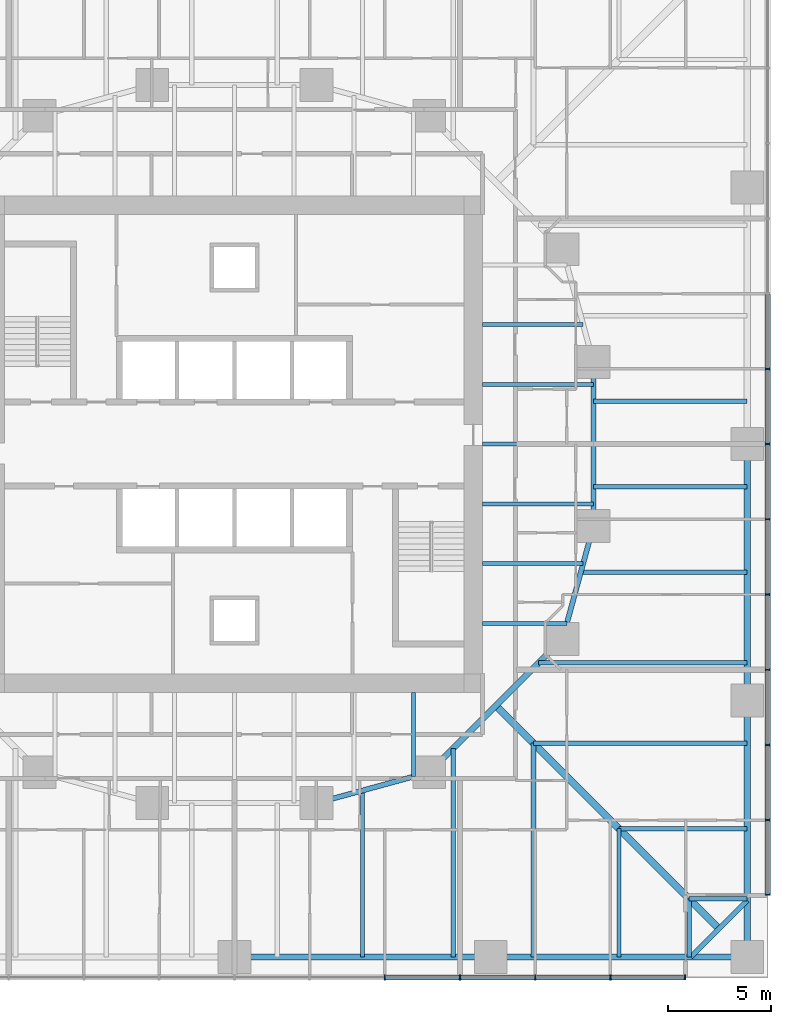
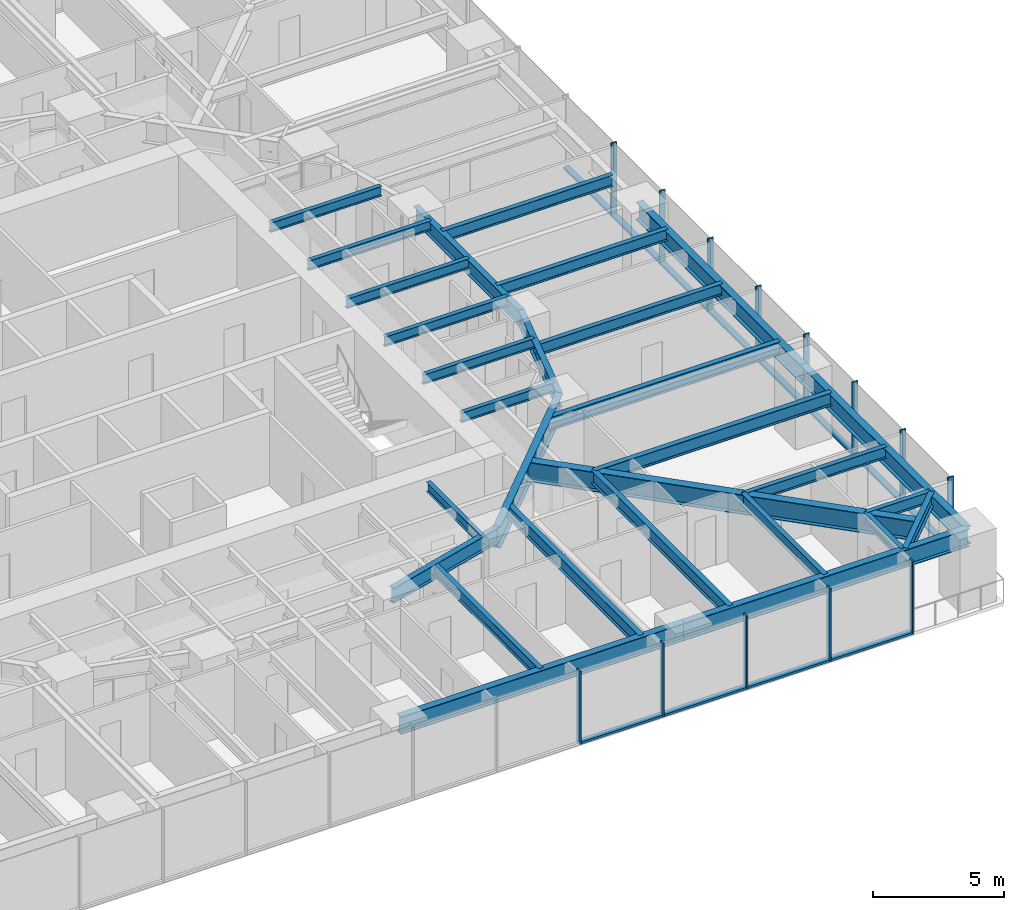
# One storey, part 4 of 18: 29 beams, 25 members, 2 elements without a shape of their own.
"""IFC4 building model written with IfcOpenShell, lengths in metres."""

from ifc_helpers import new_model, si_unit, direction, frame, origin, origin_2d, place, context, subcontext, project, spatial, rectangle, i_section, extrude, material, material_profile, profile_set, type_object, element, aggregate, save


model = new_model("IFC4")

# Units and contexts
model_context = context("Model", 3, precision=1e-05, world=origin(), true_north=direction((0.0, 1.0)))
body_context = subcontext(model_context, "Body", "Model", "MODEL_VIEW")
ifc_project = project(units=[si_unit("LENGTHUNIT", "METRE"), si_unit("AREAUNIT", "SQUARE_METRE"), si_unit("VOLUMEUNIT", "CUBIC_METRE"), si_unit("PLANEANGLEUNIT", "RADIAN"), si_unit("MASSUNIT", "GRAM", prefix="KILO")], contexts=[model_context])

# Site, building, storey
site_placement = place(None, origin())
site = spatial("IfcSite", under=ifc_project, at=site_placement, CompositionType="ELEMENT")
building_placement = place(site_placement, origin())
building = spatial("IfcBuilding", under=site, at=building_placement, Name="Torsade Residences", CompositionType="ELEMENT")
storey_placement = place(building_placement, frame((0.0, 0.0, 28.60009765625)))
storey = spatial("IfcBuildingStorey", under=building, at=storey_placement, Name="L07", CompositionType="ELEMENT", Elevation=28.60009765625)

# Beams
ifc_material_1 = material(Name="Steel grade 300", Category="steel")
ifc_material_profile_1 = material_profile(ifc_material_1, i_section(OverallWidth=0.35009765625, OverallDepth=0.909912109375, WebThickness=0.011962890625, FlangeThickness=0.02490234375, at=origin_2d()), Name="900WB218")
ifc_profile_set_1 = profile_set([ifc_material_profile_1], Name="Steel grade 300")
beam_type_1 = type_object("IfcBeamType", Name="CORNER GIRDER 900WB218", PredefinedType="BEAM", material=ifc_profile_set_1)
beam_1_placement = place(storey_placement, frame((63.625, 6.375, 2.794921875), z_axis=(-0.707106781187, 0.707106781187, 0.0), x_axis=(-0.707106781187, -0.707106781187, 0.0)))
element("IfcBeam", 1, at=beam_1_placement, inside=storey, type_object=beam_type_1, Name="Corner girder 05 L08", PredefinedType="BEAM", context=body_context, shape_type="SweptSolid", body=[
    extrude(i_section(OverallWidth=0.35009765625, OverallDepth=0.909912109375, WebThickness=0.011962890625, FlangeThickness=0.02490234375, at=origin_2d()), origin(), (0.0, 0.0, 1.0), 15.379638671875),
])
ifc_material_2 = material(Name="Steel grade 300", Category="steel")
ifc_material_profile_2 = material_profile(ifc_material_2, i_section(OverallWidth=0.22802734375, OverallDepth=0.60205078125, WebThickness=0.010498046875, FlangeThickness=0.014892578125, FilletRadius=0.013916015625, at=origin_2d()), Name="610UB101")
ifc_profile_set_2 = profile_set([ifc_material_profile_2], Name="Steel grade 300")
beam_type_2 = type_object("IfcBeamType", Name="CORNER TRIMMER 610UB101", PredefinedType="BEAM", material=ifc_profile_set_2)
beam_2_placement = place(storey_placement, frame((65.0, 7.75, 2.948974609375), z_axis=(-0.707106781187, -0.707106781187, 0.0), x_axis=(0.707106781187, -0.707106781187, 0.0)))
element("IfcBeam", 2, at=beam_2_placement, inside=storey, type_object=beam_type_2, Name="Corner trimmer 05 L08", PredefinedType="BEAM", context=body_context, shape_type="SweptSolid", body=[
    extrude(i_section(OverallWidth=0.22802734375, OverallDepth=0.60205078125, WebThickness=0.010498046875, FlangeThickness=0.014892578125, FilletRadius=0.013916015625, at=origin_2d()), origin(), (0.0, 0.0, 1.0), 3.88916015625),
])

# Curtain wall, members
ifc_material_3 = material(Name="Aluminium and glass", Category="aluminium")
curtain_wall_type = type_object("IfcCurtainWallType", Name="FRITTED GLASS CURTAIN WALL LOW ZONE", PredefinedType="NOTDEFINED", material=ifc_material_3)
curtain_wall_1_placement = place(storey_placement, origin())
curtain_wall_1 = element("IfcCurtainWall", 3, at=curtain_wall_1_placement, inside=storey, type_object=curtain_wall_type, Name="Curtain wall L07 face 1", PredefinedType="NOTDEFINED")
ifc_material_4 = material(Name="Aluminium mullion", Category="aluminium")
ifc_material_profile_3 = material_profile(ifc_material_4, rectangle(XDim=0.25, YDim=0.06494140625, at=origin_2d()), Name="CURTAIN WALL MULLION 250x65")
ifc_profile_set_3 = profile_set([ifc_material_profile_3], Name="Aluminium mullion")
member_type_1 = type_object("IfcMemberType", Name="CURTAIN WALL MULLION 250x65", PredefinedType="MULLION", material=ifc_profile_set_3)
member_1_placement = place(storey_placement, frame((47.333251953125, 4.0, 0.0), z_axis=(0.0, 0.0, 1.0), x_axis=(0.0, 1.0, 0.0)))
member_1 = element("IfcMember", 4, at=member_1_placement, type_object=member_type_1, Name="Mullion 9", PredefinedType="MULLION", context=body_context, shape_type="SweptSolid", body=[
    extrude(rectangle(XDim=0.25, YDim=0.06494140625, at=origin_2d()), origin(), (0.0, 0.0, 1.0), 3.39990234375),
])
member_2_placement = place(storey_placement, frame((51.0, 4.0, 0.0), z_axis=(0.0, 0.0, 1.0), x_axis=(0.0, 1.0, 0.0)))
member_2 = element("IfcMember", 5, at=member_2_placement, type_object=member_type_1, Name="Mullion 10", PredefinedType="MULLION", context=body_context, shape_type="SweptSolid", body=[
    extrude(rectangle(XDim=0.25, YDim=0.06494140625, at=origin_2d()), origin(), (0.0, 0.0, 1.0), 3.39990234375),
])
member_3_placement = place(storey_placement, frame((54.666748046875, 4.0, 0.0), z_axis=(0.0, 0.0, 1.0), x_axis=(0.0, 1.0, 0.0)))
member_3 = element("IfcMember", 6, at=member_3_placement, type_object=member_type_1, Name="Mullion 11", PredefinedType="MULLION", context=body_context, shape_type="SweptSolid", body=[
    extrude(rectangle(XDim=0.25, YDim=0.06494140625, at=origin_2d()), origin(), (0.0, 0.0, 1.0), 3.39990234375),
])
member_4_placement = place(storey_placement, frame((58.333251953125, 4.0, 0.0), z_axis=(0.0, 0.0, 1.0), x_axis=(0.0, 1.0, 0.0)))
member_4 = element("IfcMember", 7, at=member_4_placement, type_object=member_type_1, Name="Mullion 12", PredefinedType="MULLION", context=body_context, shape_type="SweptSolid", body=[
    extrude(rectangle(XDim=0.25, YDim=0.06494140625, at=origin_2d()), origin(), (0.0, 0.0, 1.0), 3.39990234375),
])
member_5_placement = place(storey_placement, frame((61.967529296875, 4.0, 0.0), z_axis=(0.0, 0.0, 1.0), x_axis=(0.0, 1.0, 0.0)))
member_5 = element("IfcMember", 8, at=member_5_placement, type_object=member_type_1, Name="Mullion 13", PredefinedType="MULLION", context=body_context, shape_type="SweptSolid", body=[
    extrude(rectangle(XDim=0.25, YDim=0.06494140625, at=origin_2d()), origin(), (0.0, 0.0, 1.0), 3.39990234375),
])

curtain_wall_2_placement = place(storey_placement, origin())
curtain_wall_2 = element("IfcCurtainWall", 9, at=curtain_wall_2_placement, inside=storey, type_object=curtain_wall_type, Name="Curtain wall L07 face 4", PredefinedType="NOTDEFINED")
member_6_placement = place(storey_placement, frame((66.0, 8.032470703125, 0.0), z_axis=(0.0, 0.0, 1.0), x_axis=(-1.0, 0.0, 0.0)))
member_6 = element("IfcMember", 10, at=member_6_placement, type_object=member_type_1, Name="Mullion 1", PredefinedType="MULLION", context=body_context, shape_type="SweptSolid", body=[
    extrude(rectangle(XDim=0.25, YDim=0.06494140625, at=origin_2d()), origin(), (0.0, 0.0, 1.0), 3.39990234375),
])
member_7_placement = place(storey_placement, frame((66.0, 11.666748046875, 0.0), z_axis=(0.0, 0.0, 1.0), x_axis=(-1.0, 0.0, 0.0)))
member_7 = element("IfcMember", 11, at=member_7_placement, type_object=member_type_1, Name="Mullion 2", PredefinedType="MULLION", context=body_context, shape_type="SweptSolid", body=[
    extrude(rectangle(XDim=0.25, YDim=0.06494140625, at=origin_2d()), origin(), (0.0, 0.0, 1.0), 3.39990234375),
])
member_8_placement = place(storey_placement, frame((66.0, 15.333251953125, 0.0), z_axis=(0.0, 0.0, 1.0), x_axis=(-1.0, 0.0, 0.0)))
member_8 = element("IfcMember", 12, at=member_8_placement, type_object=member_type_1, Name="Mullion 3", PredefinedType="MULLION", context=body_context, shape_type="SweptSolid", body=[
    extrude(rectangle(XDim=0.25, YDim=0.06494140625, at=origin_2d()), origin(), (0.0, 0.0, 1.0), 3.39990234375),
])
member_9_placement = place(storey_placement, frame((66.0, 19.0, 0.0), z_axis=(0.0, 0.0, 1.0), x_axis=(-1.0, 0.0, 0.0)))
member_9 = element("IfcMember", 13, at=member_9_placement, type_object=member_type_1, Name="Mullion 4", PredefinedType="MULLION", context=body_context, shape_type="SweptSolid", body=[
    extrude(rectangle(XDim=0.25, YDim=0.06494140625, at=origin_2d()), origin(), (0.0, 0.0, 1.0), 3.39990234375),
])
member_10_placement = place(storey_placement, frame((66.0, 22.666748046875, 0.0), z_axis=(0.0, 0.0, 1.0), x_axis=(-1.0, 0.0, 0.0)))
member_10 = element("IfcMember", 14, at=member_10_placement, type_object=member_type_1, Name="Mullion 5", PredefinedType="MULLION", context=body_context, shape_type="SweptSolid", body=[
    extrude(rectangle(XDim=0.25, YDim=0.06494140625, at=origin_2d()), origin(), (0.0, 0.0, 1.0), 3.39990234375),
])
member_11_placement = place(storey_placement, frame((66.0, 26.333251953125, 0.0), z_axis=(0.0, 0.0, 1.0), x_axis=(-1.0, 0.0, 0.0)))
member_11 = element("IfcMember", 15, at=member_11_placement, type_object=member_type_1, Name="Mullion 6", PredefinedType="MULLION", context=body_context, shape_type="SweptSolid", body=[
    extrude(rectangle(XDim=0.25, YDim=0.06494140625, at=origin_2d()), origin(), (0.0, 0.0, 1.0), 3.39990234375),
])
member_12_placement = place(storey_placement, frame((66.0, 30.0, 0.0), z_axis=(0.0, 0.0, 1.0), x_axis=(-1.0, 0.0, 0.0)))
member_12 = element("IfcMember", 16, at=member_12_placement, type_object=member_type_1, Name="Mullion 7", PredefinedType="MULLION", context=body_context, shape_type="SweptSolid", body=[
    extrude(rectangle(XDim=0.25, YDim=0.06494140625, at=origin_2d()), origin(), (0.0, 0.0, 1.0), 3.39990234375),
])
member_13_placement = place(storey_placement, frame((66.0, 33.666748046875, 0.0), z_axis=(0.0, 0.0, 1.0), x_axis=(-1.0, 0.0, 0.0)))
member_13 = element("IfcMember", 17, at=member_13_placement, type_object=member_type_1, Name="Mullion 8", PredefinedType="MULLION", context=body_context, shape_type="SweptSolid", body=[
    extrude(rectangle(XDim=0.25, YDim=0.06494140625, at=origin_2d()), origin(), (0.0, 0.0, 1.0), 3.39990234375),
])

# Member
ifc_material_5 = material(Name="Aluminium transom", Category="aluminium")
ifc_material_profile_4 = material_profile(ifc_material_5, rectangle(XDim=0.25, YDim=0.10009765625, at=origin_2d()), Name="CURTAIN WALL TRANSOM 250x100")
ifc_profile_set_4 = profile_set([ifc_material_profile_4], Name="Aluminium transom")
member_type_2 = type_object("IfcMemberType", Name="CURTAIN WALL TRANSOM 250x100", PredefinedType="USERDEFINED", material=ifc_profile_set_4)
member_14_placement = place(storey_placement, frame((47.36572265625, 4.0, 0.0498046875), z_axis=(1.0, 0.0, 0.0), x_axis=(0.0, 1.0, 0.0)))
member_14 = element("IfcMember", 18, at=member_14_placement, type_object=member_type_2, Name="Transom 9.1", ObjectType="TRANSOM", PredefinedType="USERDEFINED", context=body_context, shape_type="SweptSolid", body=[
    extrude(rectangle(XDim=0.25, YDim=0.10009765625, at=origin_2d()), origin(), (0.0, 0.0, 1.0), 3.601806640625),
])

member_15_placement = place(storey_placement, frame((51.032470703125, 4.0, 0.0498046875), z_axis=(1.0, 0.0, 0.0), x_axis=(0.0, 1.0, 0.0)))
member_15 = element("IfcMember", 19, at=member_15_placement, type_object=member_type_2, Name="Transom 10.1", ObjectType="TRANSOM", PredefinedType="USERDEFINED", context=body_context, shape_type="SweptSolid", body=[
    extrude(rectangle(XDim=0.25, YDim=0.10009765625, at=origin_2d()), origin(), (0.0, 0.0, 1.0), 3.601806640625),
])

member_16_placement = place(storey_placement, frame((54.69921875, 4.0, 0.0498046875), z_axis=(1.0, 0.0, 0.0), x_axis=(0.0, 1.0, 0.0)))
member_16 = element("IfcMember", 20, at=member_16_placement, type_object=member_type_2, Name="Transom 11.1", ObjectType="TRANSOM", PredefinedType="USERDEFINED", context=body_context, shape_type="SweptSolid", body=[
    extrude(rectangle(XDim=0.25, YDim=0.10009765625, at=origin_2d()), origin(), (0.0, 0.0, 1.0), 3.6015625),
])

member_17_placement = place(storey_placement, frame((58.36572265625, 4.0, 0.0498046875), z_axis=(1.0, 0.0, 0.0), x_axis=(0.0, 1.0, 0.0)))
member_17 = element("IfcMember", 21, at=member_17_placement, type_object=member_type_2, Name="Transom 12.1", ObjectType="TRANSOM", PredefinedType="USERDEFINED", context=body_context, shape_type="SweptSolid", body=[
    extrude(rectangle(XDim=0.25, YDim=0.10009765625, at=origin_2d()), origin(), (0.0, 0.0, 1.0), 3.5693359375),
])

aggregate(curtain_wall_1, [member_1, member_2, member_3, member_4, member_5, member_14, member_15, member_16, member_17])

member_18_placement = place(storey_placement, frame((66.0, 8.06494140625, 0.0498046875), z_axis=(0.0, 1.0, 0.0), x_axis=(-1.0, 0.0, 0.0)))
member_18 = element("IfcMember", 22, at=member_18_placement, type_object=member_type_2, Name="Transom 1.1", ObjectType="TRANSOM", PredefinedType="USERDEFINED", context=body_context, shape_type="SweptSolid", body=[
    extrude(rectangle(XDim=0.25, YDim=0.10009765625, at=origin_2d()), origin(), (0.0, 0.0, 1.0), 3.5693359375),
])

member_19_placement = place(storey_placement, frame((66.0, 11.69921875, 0.0498046875), z_axis=(0.0, 1.0, 0.0), x_axis=(-1.0, 0.0, 0.0)))
member_19 = element("IfcMember", 23, at=member_19_placement, type_object=member_type_2, Name="Transom 2.1", ObjectType="TRANSOM", PredefinedType="USERDEFINED", context=body_context, shape_type="SweptSolid", body=[
    extrude(rectangle(XDim=0.25, YDim=0.10009765625, at=origin_2d()), origin(), (0.0, 0.0, 1.0), 3.6015625),
])

member_20_placement = place(storey_placement, frame((66.0, 15.36572265625, 0.0498046875), z_axis=(0.0, 1.0, 0.0), x_axis=(-1.0, 0.0, 0.0)))
member_20 = element("IfcMember", 24, at=member_20_placement, type_object=member_type_2, Name="Transom 3.1", ObjectType="TRANSOM", PredefinedType="USERDEFINED", context=body_context, shape_type="SweptSolid", body=[
    extrude(rectangle(XDim=0.25, YDim=0.10009765625, at=origin_2d()), origin(), (0.0, 0.0, 1.0), 3.601806640625),
])

member_21_placement = place(storey_placement, frame((66.0, 19.032470703125, 0.0498046875), z_axis=(0.0, 1.0, 0.0), x_axis=(-1.0, 0.0, 0.0)))
member_21 = element("IfcMember", 25, at=member_21_placement, type_object=member_type_2, Name="Transom 4.1", ObjectType="TRANSOM", PredefinedType="USERDEFINED", context=body_context, shape_type="SweptSolid", body=[
    extrude(rectangle(XDim=0.25, YDim=0.10009765625, at=origin_2d()), origin(), (0.0, 0.0, 1.0), 3.601806640625),
])

member_22_placement = place(storey_placement, frame((66.0, 22.69921875, 0.0498046875), z_axis=(0.0, 1.0, 0.0), x_axis=(-1.0, 0.0, 0.0)))
member_22 = element("IfcMember", 26, at=member_22_placement, type_object=member_type_2, Name="Transom 5.1", ObjectType="TRANSOM", PredefinedType="USERDEFINED", context=body_context, shape_type="SweptSolid", body=[
    extrude(rectangle(XDim=0.25, YDim=0.10009765625, at=origin_2d()), origin(), (0.0, 0.0, 1.0), 3.6015625),
])

member_23_placement = place(storey_placement, frame((66.0, 26.36572265625, 0.0498046875), z_axis=(0.0, 1.0, 0.0), x_axis=(-1.0, 0.0, 0.0)))
member_23 = element("IfcMember", 27, at=member_23_placement, type_object=member_type_2, Name="Transom 6.1", ObjectType="TRANSOM", PredefinedType="USERDEFINED", context=body_context, shape_type="SweptSolid", body=[
    extrude(rectangle(XDim=0.25, YDim=0.10009765625, at=origin_2d()), origin(), (0.0, 0.0, 1.0), 3.601806640625),
])

member_24_placement = place(storey_placement, frame((66.0, 30.032470703125, 0.0498046875), z_axis=(0.0, 1.0, 0.0), x_axis=(-1.0, 0.0, 0.0)))
member_24 = element("IfcMember", 28, at=member_24_placement, type_object=member_type_2, Name="Transom 7.1", ObjectType="TRANSOM", PredefinedType="USERDEFINED", context=body_context, shape_type="SweptSolid", body=[
    extrude(rectangle(XDim=0.25, YDim=0.10009765625, at=origin_2d()), origin(), (0.0, 0.0, 1.0), 3.601806640625),
])

member_25_placement = place(storey_placement, frame((66.0, 33.69921875, 0.0498046875), z_axis=(0.0, 1.0, 0.0), x_axis=(-1.0, 0.0, 0.0)))
member_25 = element("IfcMember", 29, at=member_25_placement, type_object=member_type_2, Name="Transom 8.1", ObjectType="TRANSOM", PredefinedType="USERDEFINED", context=body_context, shape_type="SweptSolid", body=[
    extrude(rectangle(XDim=0.25, YDim=0.10009765625, at=origin_2d()), origin(), (0.0, 0.0, 1.0), 3.6015625),
])

aggregate(curtain_wall_2, [member_6, member_7, member_8, member_9, member_10, member_11, member_12, member_13, member_18, member_19, member_20, member_21, member_22, member_23, member_24, member_25])

# Beams
ifc_material_6 = material(Name="Steel grade 300", Category="steel")
ifc_material_profile_5 = material_profile(ifc_material_6, i_section(OverallWidth=0.300048828125, OverallDepth=0.81591796875, WebThickness=0.010009765625, FlangeThickness=0.028076171875, at=origin_2d()), Name="800WB192")
ifc_profile_set_5 = profile_set([ifc_material_profile_5], Name="Steel grade 300")
beam_type_3 = type_object("IfcBeamType", Name="EDGE BEAM 800WB192", PredefinedType="SPANDREL", material=ifc_profile_set_5)
for number, where, z_axis, x_axis, name in (
    (30, (40.0, 5.0, 2.841796875), (1.0, 0.0, 0.0), (0.0, 1.0, 0.0), "Edge beam 03 L08"),
    (31, (52.5, 5.0, 2.841796875), (1.0, 0.0, 0.0), (0.0, 1.0, 0.0), "Edge beam 04 L08"),
    (32, (65.0, 5.0, 2.841796875), (0.0, 1.0, 0.0), (-1.0, 0.0, 0.0), "Edge beam 05 L08"),
    (33, (65.0, 17.5, 2.841796875), (0.0, 1.0, 0.0), (-1.0, 0.0, 0.0), "Edge beam 06 L08"),
):
    element("IfcBeam", number, at=place(storey_placement, frame(where, z_axis=z_axis, x_axis=x_axis)), inside=storey, type_object=beam_type_3, Name=name, PredefinedType="SPANDREL", context=body_context, shape_type="SweptSolid", body=[
        extrude(i_section(OverallWidth=0.300048828125, OverallDepth=0.81591796875, WebThickness=0.010009765625, FlangeThickness=0.028076171875, at=origin_2d()), origin(), (0.0, 0.0, 1.0), 12.5),
    ])
ifc_material_7 = material(Name="Steel grade 300", Category="steel")
ifc_material_profile_6 = material_profile(ifc_material_7, i_section(OverallWidth=0.18994140625, OverallDepth=0.4541015625, WebThickness=0.008544921875, FlangeThickness=0.0126953125, FilletRadius=0.011474609375, at=origin_2d()), Name="460UB67.1")
ifc_profile_set_6 = profile_set([ifc_material_profile_6], Name="Steel grade 300")
beam_type_4 = type_object("IfcBeamType", Name="INNER FLOOR BEAM 460UB67.1", PredefinedType="JOIST", material=ifc_profile_set_6)
for number, where, z_axis, x_axis, name in (
    (34, (48.737548828125, 17.89990234375, 3.02294921875), (0.0, -1.0, 0.0), (1.0, 0.0, 0.0), "Inner floor beam IS01 L08"),
    (35, (52.10009765625, 21.262451171875, 3.02294921875), (1.0, 0.0, 0.0), (0.0, 1.0, 0.0), "Inner floor beam IE01 L08"),
):
    element("IfcBeam", number, at=place(storey_placement, frame(where, z_axis=z_axis, x_axis=x_axis)), inside=storey, type_object=beam_type_4, Name=name, PredefinedType="JOIST", context=body_context, shape_type="SweptSolid", body=[
        extrude(i_section(OverallWidth=0.18994140625, OverallDepth=0.4541015625, WebThickness=0.008544921875, FlangeThickness=0.0126953125, FilletRadius=0.011474609375, at=origin_2d()), origin(), (0.0, 0.0, 1.0), 4.10791015625),
    ])
beam_3_placement = place(storey_placement, frame((52.10009765625, 24.175048828125, 3.02294921875), z_axis=(1.0, 0.0, 0.0), x_axis=(0.0, 1.0, 0.0)))
element("IfcBeam", 36, at=beam_3_placement, inside=storey, type_object=beam_type_4, Name="Inner floor beam IE02 L08", PredefinedType="JOIST", context=body_context, shape_type="SweptSolid", body=[
    extrude(i_section(OverallWidth=0.18994140625, OverallDepth=0.4541015625, WebThickness=0.008544921875, FlangeThickness=0.0126953125, FilletRadius=0.011474609375, at=origin_2d()), origin(), (0.0, 0.0, 1.0), 4.902099609375),
])
for number, where, z_axis, x_axis, name in (
    (37, (52.10009765625, 27.08740234375, 3.02294921875), (1.0, 0.0, 0.0), (0.0, 1.0, 0.0), "Inner floor beam IE03 L08"),
    (38, (52.10009765625, 30.0, 3.02294921875), (1.0, 0.0, 0.0), (0.0, 1.0, 0.0), "Inner floor beam IE04 L08"),
    (39, (52.10009765625, 32.91259765625, 3.02294921875), (1.0, 0.0, 0.0), (0.0, 1.0, 0.0), "Inner floor beam IE05 L08"),
):
    element("IfcBeam", number, at=place(storey_placement, frame(where, z_axis=z_axis, x_axis=x_axis)), inside=storey, type_object=beam_type_4, Name=name, PredefinedType="JOIST", context=body_context, shape_type="SweptSolid", body=[
        extrude(i_section(OverallWidth=0.18994140625, OverallDepth=0.4541015625, WebThickness=0.008544921875, FlangeThickness=0.0126953125, FilletRadius=0.011474609375, at=origin_2d()), origin(), (0.0, 0.0, 1.0), 5.39990234375),
    ])
beam_4_placement = place(storey_placement, frame((52.10009765625, 35.824951171875, 3.02294921875), z_axis=(1.0, 0.0, 0.0), x_axis=(0.0, 1.0, 0.0)))
element("IfcBeam", 40, at=beam_4_placement, inside=storey, type_object=beam_type_4, Name="Inner floor beam IE06 L08", PredefinedType="JOIST", context=body_context, shape_type="SweptSolid", body=[
    extrude(i_section(OverallWidth=0.18994140625, OverallDepth=0.4541015625, WebThickness=0.008544921875, FlangeThickness=0.0126953125, FilletRadius=0.011474609375, at=origin_2d()), origin(), (0.0, 0.0, 1.0), 4.902099609375),
])
ifc_material_8 = material(Name="Steel grade 300", Category="steel")
ifc_material_profile_7 = material_profile(ifc_material_8, i_section(OverallWidth=0.300048828125, OverallDepth=1.0, WebThickness=0.01611328125, FlangeThickness=0.028076171875, at=origin_2d()), Name="1000WB215")
ifc_profile_set_7 = profile_set([ifc_material_profile_7], Name="Steel grade 300")
beam_type_5 = type_object("IfcBeamType", Name="RING CORNER GIRDER 1000WB215", PredefinedType="BEAM", material=ifc_profile_set_7)
beam_5_placement = place(storey_placement, frame((49.5, 14.0, 2.75), z_axis=(0.707106781187, 0.707106781187, 0.0), x_axis=(-0.707106781187, 0.707106781187, 0.0)))
element("IfcBeam", 41, at=beam_5_placement, inside=storey, type_object=beam_type_5, Name="Ring girder IR15 L08", PredefinedType="BEAM", context=body_context, shape_type="SweptSolid", body=[
    extrude(i_section(OverallWidth=0.300048828125, OverallDepth=1.0, WebThickness=0.01611328125, FlangeThickness=0.028076171875, at=origin_2d()), origin(), (0.0, 0.0, 1.0), 9.1923828125),
])
ifc_material_9 = material(Name="Steel grade 300", Category="steel")
ifc_material_profile_8 = material_profile(ifc_material_9, i_section(OverallWidth=0.25, OverallDepth=0.699951171875, WebThickness=0.010009765625, FlangeThickness=0.02001953125, at=origin_2d()), Name="700WB130")
ifc_profile_set_8 = profile_set([ifc_material_profile_8], Name="Steel grade 300")
beam_type_6 = type_object("IfcBeamType", Name="RING GIRDER 700WB130", PredefinedType="BEAM", material=ifc_profile_set_8)
beam_6_placement = place(storey_placement, frame((57.5, 26.0, 2.89990234375), z_axis=(0.0, 1.0, 0.0), x_axis=(-1.0, 0.0, 0.0)))
element("IfcBeam", 42, at=beam_6_placement, inside=storey, type_object=beam_type_6, Name="Ring girder IR01 L08", PredefinedType="BEAM", context=body_context, shape_type="SweptSolid", body=[
    extrude(i_section(OverallWidth=0.25, OverallDepth=0.699951171875, WebThickness=0.010009765625, FlangeThickness=0.02001953125, at=origin_2d()), origin(), (0.0, 0.0, 1.0), 8.0),
])
for number, where, z_axis, x_axis, name in (
    (43, (44.0, 12.5, 2.89990234375), (0.964763821238, 0.263117405792, 0.0), (-0.263117405792, 0.964763821238, 0.0), "Ring girder IR14 L08"),
    (44, (56.0, 20.5, 2.89990234375), (0.263117405792, 0.964763821238, 0.0), (-0.964763821238, 0.263117405792, 0.0), "Ring girder IR16 L08"),
):
    element("IfcBeam", number, at=place(storey_placement, frame(where, z_axis=z_axis, x_axis=x_axis)), inside=storey, type_object=beam_type_6, Name=name, PredefinedType="BEAM", context=body_context, shape_type="SweptSolid", body=[
        extrude(i_section(OverallWidth=0.25, OverallDepth=0.699951171875, WebThickness=0.010009765625, FlangeThickness=0.02001953125, at=origin_2d()), origin(), (0.0, 0.0, 1.0), 5.700927734375),
    ])
ifc_material_10 = material(Name="Steel grade 300", Category="steel")
ifc_material_profile_9 = material_profile(ifc_material_10, i_section(OverallWidth=0.208984375, OverallDepth=0.528076171875, WebThickness=0.009521484375, FlangeThickness=0.01318359375, FilletRadius=0.013916015625, at=origin_2d()), Name="530UB82.0")
ifc_profile_set_9 = profile_set([ifc_material_profile_9], Name="Steel grade 300")
beam_type_7 = type_object("IfcBeamType", Name="SECONDARY BEAM 530UB82.0", PredefinedType="JOIST", material=ifc_profile_set_9)
beam_7_placement = place(storey_placement, frame((46.25, 5.0, 2.98583984375), z_axis=(0.0, 1.0, 0.0), x_axis=(-1.0, 0.0, 0.0)))
element("IfcBeam", 45, at=beam_7_placement, inside=storey, type_object=beam_type_7, Name="Floor beam FS08 L08", PredefinedType="JOIST", context=body_context, shape_type="SweptSolid", body=[
    extrude(i_section(OverallWidth=0.208984375, OverallDepth=0.528076171875, WebThickness=0.009521484375, FlangeThickness=0.01318359375, FilletRadius=0.013916015625, at=origin_2d()), origin(), (0.0, 0.0, 1.0), 8.113525390625),
])
beam_8_placement = place(storey_placement, frame((58.75, 5.0, 2.98583984375), z_axis=(0.0, 1.0, 0.0), x_axis=(-1.0, 0.0, 0.0)))
element("IfcBeam", 46, at=beam_8_placement, inside=storey, type_object=beam_type_7, Name="Floor beam FS11 L08", PredefinedType="JOIST", context=body_context, shape_type="SweptSolid", body=[
    extrude(i_section(OverallWidth=0.208984375, OverallDepth=0.528076171875, WebThickness=0.009521484375, FlangeThickness=0.01318359375, FilletRadius=0.013916015625, at=origin_2d()), origin(), (0.0, 0.0, 1.0), 6.25),
])
for number, where, z_axis, x_axis, name in (
    (47, (62.166748046875, 5.0, 2.98583984375), (0.0, 1.0, 0.0), (-1.0, 0.0, 0.0), "Floor beam FS12 L08"),
    (48, (65.0, 7.833251953125, 2.98583984375), (-1.0, 0.0, 0.0), (0.0, -1.0, 0.0), "Floor beam FE01 L08"),
):
    element("IfcBeam", number, at=place(storey_placement, frame(where, z_axis=z_axis, x_axis=x_axis)), inside=storey, type_object=beam_type_7, Name=name, PredefinedType="JOIST", context=body_context, shape_type="SweptSolid", body=[
        extrude(i_section(OverallWidth=0.208984375, OverallDepth=0.528076171875, WebThickness=0.009521484375, FlangeThickness=0.01318359375, FilletRadius=0.013916015625, at=origin_2d()), origin(), (0.0, 0.0, 1.0), 2.833251953125),
    ])
beam_9_placement = place(storey_placement, frame((65.0, 11.25, 2.98583984375), z_axis=(-1.0, 0.0, 0.0), x_axis=(0.0, -1.0, 0.0)))
element("IfcBeam", 49, at=beam_9_placement, inside=storey, type_object=beam_type_7, Name="Floor beam FE02 L08", PredefinedType="JOIST", context=body_context, shape_type="SweptSolid", body=[
    extrude(i_section(OverallWidth=0.208984375, OverallDepth=0.528076171875, WebThickness=0.009521484375, FlangeThickness=0.01318359375, FilletRadius=0.013916015625, at=origin_2d()), origin(), (0.0, 0.0, 1.0), 6.25),
])
beam_10_placement = place(storey_placement, frame((65.0, 23.75, 2.98583984375), z_axis=(-1.0, 0.0, 0.0), x_axis=(0.0, -1.0, 0.0)))
element("IfcBeam", 50, at=beam_10_placement, inside=storey, type_object=beam_type_7, Name="Floor beam FE05 L08", PredefinedType="JOIST", context=body_context, shape_type="SweptSolid", body=[
    extrude(i_section(OverallWidth=0.208984375, OverallDepth=0.528076171875, WebThickness=0.009521484375, FlangeThickness=0.01318359375, FilletRadius=0.013916015625, at=origin_2d()), origin(), (0.0, 0.0, 1.0), 8.113525390625),
])
for number, where, z_axis, x_axis, name in (
    (51, (65.0, 27.916748046875, 2.98583984375), (-1.0, 0.0, 0.0), (0.0, -1.0, 0.0), "Floor beam FE06 L08"),
    (52, (65.0, 32.083251953125, 2.98583984375), (-1.0, 0.0, 0.0), (0.0, -1.0, 0.0), "Floor beam FE07 L08"),
):
    element("IfcBeam", number, at=place(storey_placement, frame(where, z_axis=z_axis, x_axis=x_axis)), inside=storey, type_object=beam_type_7, Name=name, PredefinedType="JOIST", context=body_context, shape_type="SweptSolid", body=[
        extrude(i_section(OverallWidth=0.208984375, OverallDepth=0.528076171875, WebThickness=0.009521484375, FlangeThickness=0.01318359375, FilletRadius=0.013916015625, at=origin_2d()), origin(), (0.0, 0.0, 1.0), 7.5),
    ])
ifc_material_11 = material(Name="Steel grade 300", Category="steel")
ifc_material_profile_10 = material_profile(ifc_material_11, i_section(OverallWidth=0.22900390625, OverallDepth=0.612060546875, WebThickness=0.011962890625, FlangeThickness=0.01953125, FilletRadius=0.013916015625, at=origin_2d()), Name="610UB125")
ifc_profile_set_10 = profile_set([ifc_material_profile_10], Name="Steel grade 300")
beam_type_8 = type_object("IfcBeamType", Name="SECONDARY BEAM 610UB125", PredefinedType="JOIST", material=ifc_profile_set_10)
beam_11_placement = place(storey_placement, frame((50.666748046875, 5.0, 2.94384765625), z_axis=(0.0, 1.0, 0.0), x_axis=(-1.0, 0.0, 0.0)))
element("IfcBeam", 53, at=beam_11_placement, inside=storey, type_object=beam_type_8, Name="Floor beam FS09 L08", PredefinedType="JOIST", context=body_context, shape_type="SweptSolid", body=[
    extrude(i_section(OverallWidth=0.22900390625, OverallDepth=0.612060546875, WebThickness=0.011962890625, FlangeThickness=0.01953125, FilletRadius=0.013916015625, at=origin_2d()), origin(), (0.0, 0.0, 1.0), 10.166748046875),
])
for number, where, z_axis, x_axis, name in (
    (54, (54.583251953125, 5.0, 2.94384765625), (0.0, 1.0, 0.0), (-1.0, 0.0, 0.0), "Floor beam FS10 L08"),
    (55, (65.0, 15.416748046875, 2.94384765625), (-1.0, 0.0, 0.0), (0.0, -1.0, 0.0), "Floor beam FE03 L08"),
):
    element("IfcBeam", number, at=place(storey_placement, frame(where, z_axis=z_axis, x_axis=x_axis)), inside=storey, type_object=beam_type_8, Name=name, PredefinedType="JOIST", context=body_context, shape_type="SweptSolid", body=[
        extrude(i_section(OverallWidth=0.22900390625, OverallDepth=0.612060546875, WebThickness=0.011962890625, FlangeThickness=0.01953125, FilletRadius=0.013916015625, at=origin_2d()), origin(), (0.0, 0.0, 1.0), 10.416748046875),
    ])
beam_12_placement = place(storey_placement, frame((65.0, 19.333251953125, 2.94384765625), z_axis=(-1.0, 0.0, 0.0), x_axis=(0.0, -1.0, 0.0)))
element("IfcBeam", 56, at=beam_12_placement, inside=storey, type_object=beam_type_8, Name="Floor beam FE04 L08", PredefinedType="JOIST", context=body_context, shape_type="SweptSolid", body=[
    extrude(i_section(OverallWidth=0.22900390625, OverallDepth=0.612060546875, WebThickness=0.011962890625, FlangeThickness=0.01953125, FilletRadius=0.013916015625, at=origin_2d()), origin(), (0.0, 0.0, 1.0), 10.166748046875),
])

save(model, "model.ifc")
